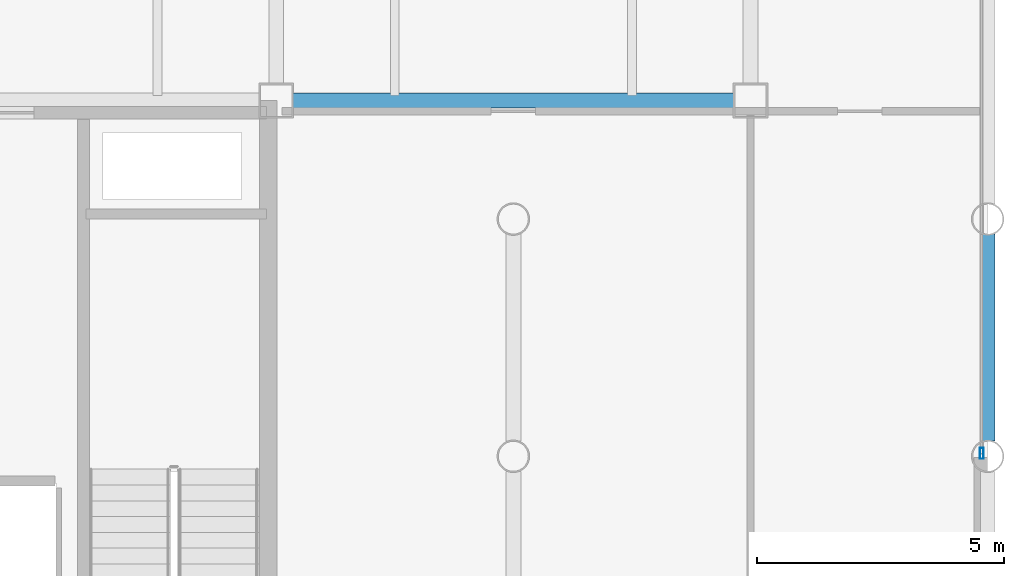
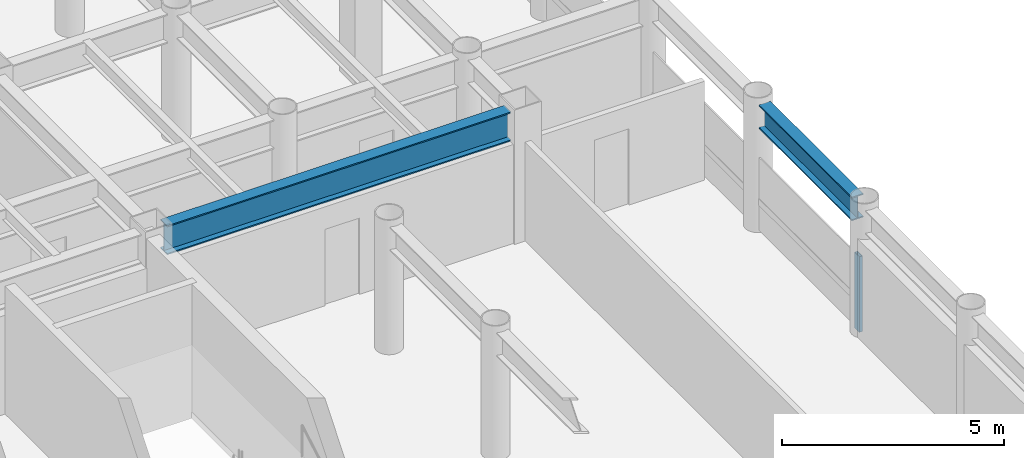
# One storey, part 8 of 20: 2 beams, 1 member, 1 element without a shape of its own.
"""IFC4 building model written with IfcOpenShell, lengths in metres."""

from ifc_helpers import new_model, si_unit, direction, frame, origin, origin_2d, place, context, subcontext, project, spatial, hollow_rectangle, i_section, extrude, material, layer, layer_set, material_profile, profile_set, type_object, element, aggregate, save


model = new_model("IFC4")

# Units and contexts
model_context = context("Model", 3, precision=1e-05, world=origin(), true_north=direction((0.0, 1.0)))
body_context = subcontext(model_context, "Body", "Model", "MODEL_VIEW")
ifc_project = project(units=[si_unit("LENGTHUNIT", "METRE"), si_unit("AREAUNIT", "SQUARE_METRE"), si_unit("VOLUMEUNIT", "CUBIC_METRE"), si_unit("PLANEANGLEUNIT", "RADIAN"), si_unit("MASSUNIT", "GRAM", prefix="KILO")], contexts=[model_context])

# Site, building, storey
site_placement = place(None, origin())
site = spatial("IfcSite", under=ifc_project, at=site_placement, CompositionType="ELEMENT")
building_placement = place(site_placement, origin())
building = spatial("IfcBuilding", under=site, at=building_placement, Name="Kallvorn Hotel Tower", CompositionType="ELEMENT")
storey_placement = place(building_placement, frame((0.0, 0.0, 143.300048828125)))
storey = spatial("IfcBuildingStorey", under=building, at=storey_placement, Name="L35", CompositionType="ELEMENT", Elevation=143.300048828125)

# Beams
ifc_material_1 = material(Name="Structural steel S355JR", Category="steel")
ifc_material_profile_1 = material_profile(ifc_material_1, i_section(OverallWidth=0.300048828125, OverallDepth=0.64990234375, WebThickness=0.01611328125, FlangeThickness=0.031005859375, at=origin_2d()), Name="HE 650 B")
ifc_profile_set_1 = profile_set([ifc_material_profile_1], Name="Structural steel S355JR")
beam_type_1 = type_object("IfcBeamType", Name="BM_HE650B", PredefinedType="BEAM", material=ifc_profile_set_1)
beam_1_placement = place(storey_placement, frame((28.800048828125, 0.304931640625, 3.195068359375), z_axis=(0.0, 1.0, 0.0), x_axis=(-1.0, 0.0, 0.0)))
element("IfcBeam", 1, at=beam_1_placement, inside=storey, type_object=beam_type_1, Name="L36 Primary Y-Girder 147", PredefinedType="BEAM", context=body_context, shape_type="SweptSolid", body=[
    extrude(i_section(OverallWidth=0.300048828125, OverallDepth=0.64990234375, WebThickness=0.01611328125, FlangeThickness=0.031005859375, at=origin_2d()), origin(), (0.0, 0.0, 1.0), 4.190185546875),
])
ifc_material_2 = material(Name="Structural steel S355JR", Category="steel")
ifc_material_profile_2 = material_profile(ifc_material_2, i_section(OverallWidth=0.300048828125, OverallDepth=0.800048828125, WebThickness=0.017578125, FlangeThickness=0.032958984375, at=origin_2d()), Name="HE 800 B")
ifc_profile_set_2 = profile_set([ifc_material_profile_2], Name="Structural steel S355JR")
beam_type_2 = type_object("IfcBeamType", Name="BM_HE800B", PredefinedType="BEAM", material=ifc_profile_set_2)
beam_2_placement = place(storey_placement, frame((14.72509765625, 7.199951171875, 3.119873046875), z_axis=(1.0, 0.0, 0.0), x_axis=(0.0, 1.0, 0.0)))
element("IfcBeam", 2, at=beam_2_placement, inside=storey, type_object=beam_type_2, Name="L36 Primary X-Girder 40", PredefinedType="BEAM", context=body_context, shape_type="SweptSolid", body=[
    extrude(i_section(OverallWidth=0.300048828125, OverallDepth=0.800048828125, WebThickness=0.017578125, FlangeThickness=0.032958984375, at=origin_2d()), origin(), (0.0, 0.0, 1.0), 8.949951171875),
])

# Curtain wall, member
ifc_material_3 = material(Name="Thermally broken black-anodised aluminium AA 6063-T6", Category="aluminium")
ifc_layer = layer(ifc_material_3, 0.2099609375)
ifc_layer_set = layer_set([ifc_layer], Name="CW_SYS_4_HOTEL_MID")
curtain_wall_type = type_object("IfcCurtainWallType", Name="CW_SYS_4_HOTEL_MID", PredefinedType="USERDEFINED", material=ifc_layer_set)
curtain_wall_placement = place(storey_placement, origin())
curtain_wall = element("IfcCurtainWall", 3, at=curtain_wall_placement, inside=storey, type_object=curtain_wall_type, Name="L35 Dark-Glass Curtain Wall CW-L35-EN", ObjectType="UNITISED CURTAIN WALL", PredefinedType="USERDEFINED")
ifc_material_4 = material(Name="Thermally broken black-anodised aluminium AA 6063-T6", Category="aluminium")
ifc_material_profile_3 = material_profile(ifc_material_4, hollow_rectangle(XDim=0.080078125, YDim=0.219970703125, WallThickness=0.0048828125, at=origin_2d()), Name="MUL 220x80")
ifc_profile_set_3 = profile_set([ifc_material_profile_3], Name="Thermally broken black-anodised aluminium AA 6063-T6")
member_type = type_object("IfcMemberType", Name="CW_MULLION_220x80", PredefinedType="MULLION", material=ifc_profile_set_3)
member_placement = place(storey_placement, frame((28.679931640625, 0.06005859375, 0.02001953125), z_axis=(0.0, 0.0, 1.0), x_axis=(1.0, 0.0, 0.0)))
member = element("IfcMember", 4, at=member_placement, type_object=member_type, Name="CW-L35-EN Mullion 00", PredefinedType="MULLION", context=body_context, shape_type="SweptSolid", body=[
    extrude(hollow_rectangle(XDim=0.080078125, YDim=0.219970703125, WallThickness=0.0048828125, at=origin_2d()), origin(), (0.0, 0.0, 1.0), 2.079833984375),
])
aggregate(curtain_wall, [member])

save(model, "model.ifc")
